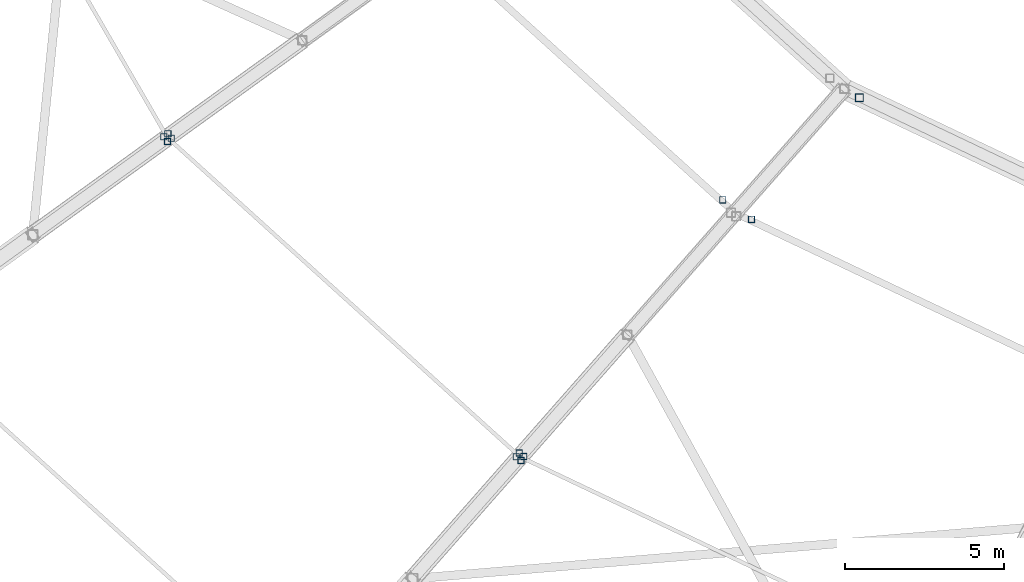
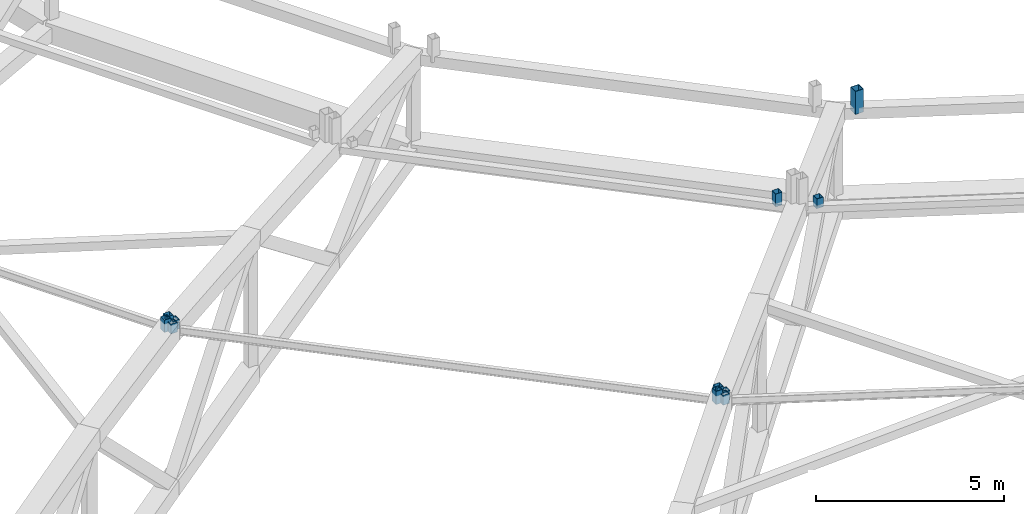
# One storey, part 94 of 162: 11 members.
"""IFC4 building model written with IfcOpenShell, lengths in metres."""

from ifc_helpers import new_model, si_unit, direction, frame, origin, origin_2d, place, context, subcontext, project, spatial, hollow_rectangle, extrude, material, material_profile, profile_set, type_object, element, save


model = new_model("IFC4")

# Units and contexts
model_context = context("Model", 3, precision=1e-05, world=origin(), true_north=direction((0.0, 1.0)))
body_context = subcontext(model_context, "Body", "Model", "MODEL_VIEW")
ifc_project = project(units=[si_unit("LENGTHUNIT", "METRE"), si_unit("AREAUNIT", "SQUARE_METRE"), si_unit("VOLUMEUNIT", "CUBIC_METRE"), si_unit("PLANEANGLEUNIT", "RADIAN"), si_unit("MASSUNIT", "GRAM", prefix="KILO")], contexts=[model_context])

# Site, building, storey
site_placement = place(None, origin())
site = spatial("IfcSite", under=ifc_project, at=site_placement, CompositionType="ELEMENT")
building_placement = place(site_placement, origin())
building = spatial("IfcBuilding", under=site, at=building_placement, Name="Kazemori Nagisa Stadium", CompositionType="ELEMENT")
storey_placement = place(building_placement, frame((0.0, 0.0, 36.719970703125)))
storey = spatial("IfcBuildingStorey", under=building, at=storey_placement, Name="RF", CompositionType="ELEMENT", Elevation=36.719970703125)

# Members
ifc_material = material(Name="Steel STKR490", Category="steel")
ifc_material_profile_1 = material_profile(ifc_material, hollow_rectangle(XDim=0.25, YDim=0.25, WallThickness=0.011962890625, at=origin_2d()), Name="SHS-250x250x12")
ifc_profile_set_1 = profile_set([ifc_material_profile_1], Name="Steel STKR490")
member_type_1 = type_object("IfcMemberType", Name="Member_ST-SHS250", PredefinedType="STUD", material=ifc_profile_set_1)
member_1_placement = place(storey_placement, frame((89.990478515625, 63.69580078125, 5.35400390625), z_axis=(0.0, 0.0, 1.0), x_axis=(1.0, 0.0, 0.0)))
element("IfcMember", 1, at=member_1_placement, inside=storey, type_object=member_type_1, Name="Oculus skylight bearing stool B19-1", PredefinedType="STUD", context=body_context, shape_type="SweptSolid", body=[
    extrude(hollow_rectangle(XDim=0.25, YDim=0.25, WallThickness=0.011962890625, at=origin_2d()), origin(), (0.0, 0.0, 1.0), 0.74609375),
])
ifc_material_profile_2 = material_profile(ifc_material, hollow_rectangle(XDim=0.199951171875, YDim=0.199951171875, WallThickness=0.009033203125, at=origin_2d()), Name="SHS-200x200x9")
ifc_profile_set_2 = profile_set([ifc_material_profile_2], Name="Steel STKR490")
member_type_2 = type_object("IfcMemberType", Name="Member_TS-SHS200", PredefinedType="STRUT", material=ifc_profile_set_2)
for number, where, z_axis, x_axis, name in (
    (2, (68.09326171875, 62.472900390625, 6.672119140625), (0.0, 0.0, 1.0), (1.0, 0.0, 0.0), "Canopy bearing stool B17-mid-3"),
    (3, (68.222412109375, 62.5654296875, 6.672119140625), (0.0, 0.0, 1.0), (1.0, 0.0, 0.0), "Canopy bearing stool B17-inner-2"),
):
    element("IfcMember", number, at=place(storey_placement, frame(where, z_axis=z_axis, x_axis=x_axis)), inside=storey, type_object=member_type_2, Name=name, PredefinedType="STRUT", context=body_context, shape_type="SweptSolid", body=[
        extrude(hollow_rectangle(XDim=0.199951171875, YDim=0.199951171875, WallThickness=0.009033203125, at=origin_2d()), origin(), (0.0, 0.0, 1.0), 0.40087890625),
    ])
member_2_placement = place(storey_placement, frame((79.1865234375, 52.399169921875, 6.55712890625), z_axis=(0.0, 0.0, 1.0), x_axis=(1.0, 0.0, 0.0)))
element("IfcMember", 4, at=member_2_placement, inside=storey, type_object=member_type_2, Name="Canopy bearing stool B18-mid-3", PredefinedType="STRUT", context=body_context, shape_type="SweptSolid", body=[
    extrude(hollow_rectangle(XDim=0.199951171875, YDim=0.199951171875, WallThickness=0.009033203125, at=origin_2d()), origin(), (0.0, 0.0, 1.0), 0.429931640625),
])
for number, where, z_axis, x_axis, name in (
    (5, (68.208251953125, 62.325927734375, 6.672119140625), (0.0, 0.0, 1.0), (1.0, 0.0, 0.0), "Canopy bearing stool B18-mid-4"),
    (6, (68.32861328125, 62.426025390625, 6.672119140625), (0.0, 0.0, 1.0), (1.0, 0.0, 0.0), "Canopy bearing stool B18-inner-1"),
):
    element("IfcMember", number, at=place(storey_placement, frame(where, z_axis=z_axis, x_axis=x_axis)), inside=storey, type_object=member_type_2, Name=name, PredefinedType="STRUT", context=body_context, shape_type="SweptSolid", body=[
        extrude(hollow_rectangle(XDim=0.199951171875, YDim=0.199951171875, WallThickness=0.009033203125, at=origin_2d()), origin(), (0.0, 0.0, 1.0), 0.31494140625),
    ])
member_3_placement = place(storey_placement, frame((79.282470703125, 52.518310546875, 6.55712890625), z_axis=(0.0, 0.0, 1.0), x_axis=(1.0, 0.0, 0.0)))
element("IfcMember", 7, at=member_3_placement, inside=storey, type_object=member_type_2, Name="Canopy bearing stool B18-inner-2", PredefinedType="STRUT", context=body_context, shape_type="SweptSolid", body=[
    extrude(hollow_rectangle(XDim=0.199951171875, YDim=0.199951171875, WallThickness=0.009033203125, at=origin_2d()), origin(), (0.0, 0.0, 1.0), 0.429931640625),
])
member_4_placement = place(storey_placement, frame((85.686767578125, 60.48779296875, 5.784912109375), z_axis=(0.0, 0.0, 1.0), x_axis=(1.0, 0.0, 0.0)))
element("IfcMember", 8, at=member_4_placement, inside=storey, type_object=member_type_2, Name="Oculus skylight bearing stool B18-3", PredefinedType="STRUT", context=body_context, shape_type="SweptSolid", body=[
    extrude(hollow_rectangle(XDim=0.199951171875, YDim=0.199951171875, WallThickness=0.009033203125, at=origin_2d()), origin(), (0.0, 0.0, 1.0), 0.418212890625),
])
for number, where, z_axis, x_axis, name in (
    (9, (79.3388671875, 52.285400390625, 6.55712890625), (0.0, 0.0, 1.0), (1.0, 0.0, 0.0), "Canopy bearing stool B19-mid-4"),
    (10, (79.42626953125, 52.41064453125, 6.55712890625), (0.0, 0.0, 1.0), (1.0, 0.0, 0.0), "Canopy bearing stool B19-inner-1"),
):
    element("IfcMember", number, at=place(storey_placement, frame(where, z_axis=z_axis, x_axis=x_axis)), inside=storey, type_object=member_type_2, Name=name, PredefinedType="STRUT", context=body_context, shape_type="SweptSolid", body=[
        extrude(hollow_rectangle(XDim=0.199951171875, YDim=0.199951171875, WallThickness=0.009033203125, at=origin_2d()), origin(), (0.0, 0.0, 1.0), 0.31494140625),
    ])
member_5_placement = place(storey_placement, frame((86.59326171875, 59.873291015625, 5.784912109375), z_axis=(0.0, 0.0, 1.0), x_axis=(1.0, 0.0, 0.0)))
element("IfcMember", 11, at=member_5_placement, inside=storey, type_object=member_type_2, Name="Oculus skylight bearing stool B19-4", PredefinedType="STRUT", context=body_context, shape_type="SweptSolid", body=[
    extrude(hollow_rectangle(XDim=0.199951171875, YDim=0.199951171875, WallThickness=0.009033203125, at=origin_2d()), origin(), (0.0, 0.0, 1.0), 0.315185546875),
])

save(model, "model.ifc")
